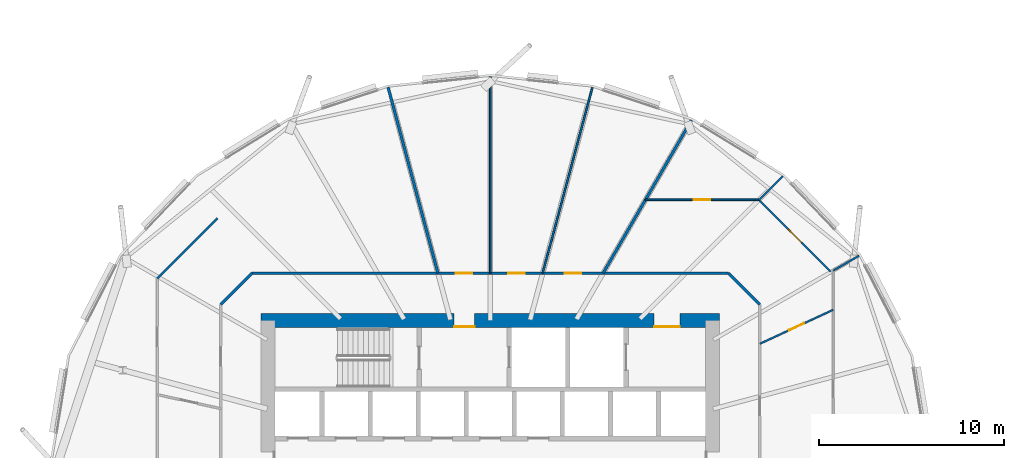
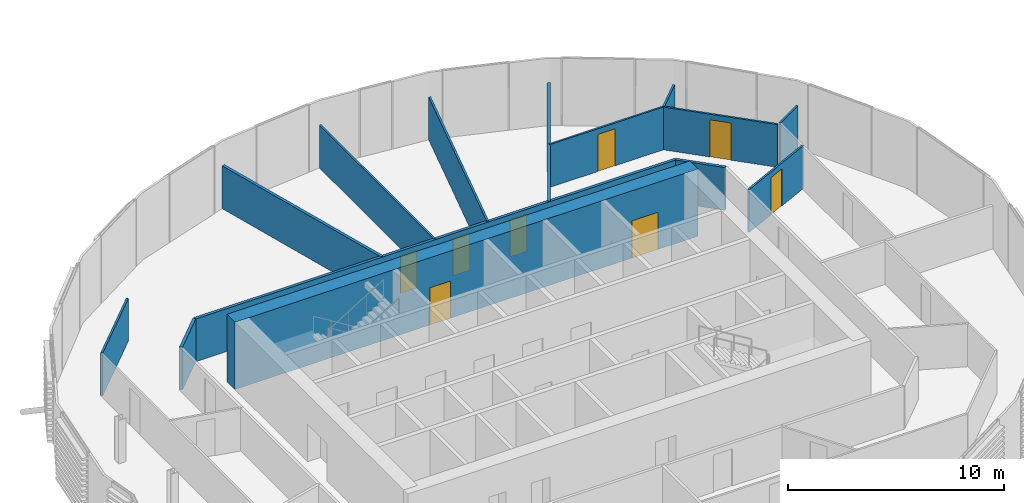
# One storey, part 24 of 42: 14 walls, 8 doors, 8 openings.
"""IFC4 building model written with IfcOpenShell, lengths in metres."""

from ifc_helpers import new_model, si_unit, direction, frame, frame_2d, origin, place, context, subcontext, project, spatial, rectangle, extrude, material, layer, layer_set, type_object, element, fill, save


model = new_model("IFC4")

# Units and contexts
model_context = context("Model", 3, precision=1e-05, world=origin(), true_north=direction((0.0, 1.0)))
body_context = subcontext(model_context, "Body", "Model", "MODEL_VIEW")
ifc_project = project(units=[si_unit("LENGTHUNIT", "METRE"), si_unit("AREAUNIT", "SQUARE_METRE"), si_unit("VOLUMEUNIT", "CUBIC_METRE"), si_unit("PLANEANGLEUNIT", "RADIAN"), si_unit("MASSUNIT", "GRAM", prefix="KILO")], contexts=[model_context])

# Site, building, storey
site_placement = place(None, origin())
site = spatial("IfcSite", under=ifc_project, at=site_placement, CompositionType="ELEMENT")
building_placement = place(site_placement, origin())
building = spatial("IfcBuilding", under=site, at=building_placement, Name="Rimbun Link Towers", CompositionType="ELEMENT")
storey_placement = place(building_placement, frame((0.0, 0.0, 85.39990234375)))
storey = spatial("IfcBuildingStorey", under=building, at=storey_placement, Name="L20", CompositionType="ELEMENT", Elevation=85.39990234375)

# Wall, openings, doors
ifc_material_1 = material(Name="Concrete C60/75", Category="concrete")
ifc_layer_1 = layer(ifc_material_1, 0.75)
ifc_layer_set_1 = layer_set([ifc_layer_1], Name="Core shear wall 750")
wall_type_1 = type_object("IfcWallType", Name="Core shear wall 750", PredefinedType="SHEAR", material=ifc_layer_set_1)
wall_1_placement = place(storey_placement, frame((-44.125, 8.0, 0.0), z_axis=(0.0, 0.0, 1.0), x_axis=(1.0, 0.0, 0.0)))
wall_1 = element("IfcWall", 1, at=wall_1_placement, inside=storey, type_object=wall_type_1, Name="L20 T1 core wall N", PredefinedType="SHEAR", context=body_context, shape_type="SweptSolid", body=[
    extrude(rectangle(XDim=24.75, YDim=0.75, at=frame_2d((12.375, 0.0))), origin(), (0.0, 0.0, 1.0), 3.800048828125),
])
opening_1_placement = place(wall_1_placement, frame((10.425048828125, 0.0, 0.0)))
opening_1 = element("IfcOpeningElement", 2, at=opening_1_placement, cuts=wall_1, Name="Opening C1DCF01N", PredefinedType="OPENING", context=body_context, shape_type="SweptSolid", body=[
    extrude(rectangle(XDim=1.10009765625, YDim=2.10009765625, at=frame_2d((0.550048828125, 1.050048828125))), frame((0.0, 0.385009765625, 0.0), z_axis=(0.0, -1.0, 0.0), x_axis=(1.0, 0.0, 0.0)), (0.0, 0.0, 1.0), 0.77001953125),
])
opening_2_placement = place(wall_1_placement, frame((21.21240234375, 0.0, 0.0)))
opening_2 = element("IfcOpeningElement", 3, at=opening_2_placement, cuts=wall_1, Name="Opening C1DSL02N", PredefinedType="OPENING", context=body_context, shape_type="SweptSolid", body=[
    extrude(rectangle(XDim=1.39990234375, YDim=2.10009765625, at=frame_2d((0.699951171875, 1.050048828125))), frame((0.0, 0.385009765625, 0.0), z_axis=(0.0, -1.0, 0.0), x_axis=(1.0, 0.0, 0.0)), (0.0, 0.0, 1.0), 0.77001953125),
])
ifc_material_2 = material(Name="Steel fire door set", Category="steel")
door_type_1 = type_object("IfcDoorType", Name="Core fire door single", OperationType="SINGLE_SWING_LEFT", PredefinedType="DOOR", material=ifc_material_2)
door_1_placement = place(opening_1_placement, origin())
door_1 = element("IfcDoor", 4, at=door_1_placement, inside=storey, type_object=door_type_1, Name="L20 T1 firefighting lobby n door", OperationType="SINGLE_SWING_LEFT", OverallHeight=2.10009765625, OverallWidth=1.10009765625, PredefinedType="DOOR", context=body_context, shape_type="SweptSolid", body=[
    extrude(rectangle(XDim=1.10009765625, YDim=2.10009765625, at=frame_2d((0.550048828125, 1.050048828125))), frame((0.0, -0.3251953125, 0.0), z_axis=(0.0, -1.0, 0.0), x_axis=(1.0, 0.0, 0.0)), (0.0, 0.0, 1.0), 0.050048828125),
])
fill(opening_1, door_1)
ifc_material_3 = material(Name="Steel fire door set", Category="steel")
door_type_2 = type_object("IfcDoorType", Name="Service lobby door double", OperationType="DOUBLE_DOOR_SINGLE_SWING", PredefinedType="DOOR", material=ifc_material_3)
door_2_placement = place(opening_2_placement, origin())
door_2 = element("IfcDoor", 5, at=door_2_placement, inside=storey, type_object=door_type_2, Name="L20 T1 service lobby door", OperationType="DOUBLE_DOOR_SINGLE_SWING", OverallHeight=2.10009765625, OverallWidth=1.39990234375, PredefinedType="DOOR", context=body_context, shape_type="SweptSolid", body=[
    extrude(rectangle(XDim=1.39990234375, YDim=2.10009765625, at=frame_2d((0.699951171875, 1.050048828125))), frame((0.0, -0.3251953125, 0.0), z_axis=(0.0, -1.0, 0.0), x_axis=(1.0, 0.0, 0.0)), (0.0, 0.0, 1.0), 0.050048828125),
])
fill(opening_2, door_2)

ifc_material_4 = material(Name="Plasterboard on steel stud, mineral wool", Category="steel")
ifc_layer_2 = layer(ifc_material_4, 0.14990234375)
ifc_layer_set_2 = layer_set([ifc_layer_2], Name="Corridor wall EI 30 150 mm")
wall_type_2 = type_object("IfcWallType", Name="Corridor wall EI 30 150 mm", PredefinedType="PARTITIONING", material=ifc_layer_set_2)
wall_2_placement = place(storey_placement, frame((-44.601806640625, 10.550048828125, 0.0), z_axis=(0.0, 0.0, 1.0), x_axis=(1.0, 0.0, 0.0)))
wall_2 = element("IfcWall", 6, at=wall_2_placement, inside=storey, type_object=wall_type_2, Name="Corridor wall EI 30 150 mm", PredefinedType="PARTITIONING", context=body_context, shape_type="SweptSolid", body=[
    extrude(rectangle(XDim=25.70361328125, YDim=0.14990234375, at=frame_2d((12.851806640625, 0.0))), origin(), (0.0, 0.0, 1.0), 2.420166015625),
])
opening_3_placement = place(wall_2_placement, frame((16.860595703125, 0.0, 0.0)))
opening_3 = element("IfcOpeningElement", 7, at=opening_3_placement, cuts=wall_2, Name="Opening D02", PredefinedType="OPENING", context=body_context, shape_type="SweptSolid", body=[
    extrude(rectangle(XDim=0.89990234375, YDim=2.10009765625, at=frame_2d((0.449951171875, 1.050048828125))), frame((0.0, 0.0849609375, 0.0), z_axis=(0.0, -1.0, 0.0), x_axis=(1.0, 0.0, 0.0)), (0.0, 0.0, 1.0), 0.169921875),
])
opening_4_placement = place(wall_2_placement, frame((13.815185546875, 0.0, 0.0)))
opening_4 = element("IfcOpeningElement", 8, at=opening_4_placement, cuts=wall_2, Name="Opening D02", PredefinedType="OPENING", context=body_context, shape_type="SweptSolid", body=[
    extrude(rectangle(XDim=0.89990234375, YDim=2.10009765625, at=frame_2d((0.449951171875, 1.050048828125))), frame((0.0, 0.0849609375, 0.0), z_axis=(0.0, -1.0, 0.0), x_axis=(1.0, 0.0, 0.0)), (0.0, 0.0, 1.0), 0.169921875),
])
opening_5_placement = place(wall_2_placement, frame((10.98828125, 0.0, 0.0)))
opening_5 = element("IfcOpeningElement", 9, at=opening_5_placement, cuts=wall_2, Name="Opening D02", PredefinedType="OPENING", context=body_context, shape_type="SweptSolid", body=[
    extrude(rectangle(XDim=0.89990234375, YDim=2.10009765625, at=frame_2d((0.449951171875, 1.050048828125))), frame((0.0, 0.0849609375, 0.0), z_axis=(0.0, -1.0, 0.0), x_axis=(1.0, 0.0, 0.0)), (0.0, 0.0, 1.0), 0.169921875),
])
ifc_material_5 = material(Name="Fire-resisting timber door leaf", Category="wood")
door_type_3 = type_object("IfcDoorType", Name="Fire door FD30S 900", OperationType="NOTDEFINED", PredefinedType="DOOR", material=ifc_material_5)
door_3_placement = place(opening_3_placement, origin())
door_3 = element("IfcDoor", 10, at=door_3_placement, inside=storey, type_object=door_type_3, Name="Fire door FD30S 900 to Cellular office", OperationType="SINGLE_SWING_LEFT", OverallHeight=2.10009765625, OverallWidth=0.89990234375, PredefinedType="DOOR", context=body_context, shape_type="SweptSolid", body=[
    extrude(rectangle(XDim=0.89990234375, YDim=2.10009765625, at=frame_2d((0.449951171875, 1.050048828125))), frame((0.0, 0.02490234375, 0.0), z_axis=(0.0, -1.0, 0.0), x_axis=(1.0, 0.0, 0.0)), (0.0, 0.0, 1.0), 0.050048828125),
])
fill(opening_3, door_3)
door_4_placement = place(opening_4_placement, origin())
door_4 = element("IfcDoor", 11, at=door_4_placement, inside=storey, type_object=door_type_3, Name="Fire door FD30S 900 to Meeting room", OperationType="SINGLE_SWING_RIGHT", OverallHeight=2.10009765625, OverallWidth=0.89990234375, PredefinedType="DOOR", context=body_context, shape_type="SweptSolid", body=[
    extrude(rectangle(XDim=0.89990234375, YDim=2.10009765625, at=frame_2d((0.449951171875, 1.050048828125))), frame((0.0, 0.02490234375, 0.0), z_axis=(0.0, -1.0, 0.0), x_axis=(1.0, 0.0, 0.0)), (0.0, 0.0, 1.0), 0.050048828125),
])
fill(opening_4, door_4)
door_5_placement = place(opening_5_placement, origin())
door_5 = element("IfcDoor", 12, at=door_5_placement, inside=storey, type_object=door_type_3, Name="Fire door FD30S 900 to Meeting room", OperationType="SINGLE_SWING_LEFT", OverallHeight=2.10009765625, OverallWidth=0.89990234375, PredefinedType="DOOR", context=body_context, shape_type="SweptSolid", body=[
    extrude(rectangle(XDim=0.89990234375, YDim=2.10009765625, at=frame_2d((0.449951171875, 1.050048828125))), frame((0.0, 0.02490234375, 0.0), z_axis=(0.0, -1.0, 0.0), x_axis=(1.0, 0.0, 0.0)), (0.0, 0.0, 1.0), 0.050048828125),
])
fill(opening_5, door_5)

# Walls
for number, where, z_axis, x_axis, name in (
    (13, (-17.199951171875, 8.851806640625, 0.0), (0.0, 0.0, 1.0), (-0.707106781187, 0.707106781187, 0.0), "Corridor wall EI 30 150 mm"),
    (14, (-44.601806640625, 10.550048828125, 0.0), (0.0, 0.0, 1.0), (-0.707106781187, -0.707106781187, 0.0), "Corridor wall EI 30 150 mm"),
):
    element("IfcWall", number, at=place(storey_placement, frame(where, z_axis=z_axis, x_axis=x_axis)), inside=storey, type_object=wall_type_2, Name=name, PredefinedType="PARTITIONING", context=body_context, shape_type="SweptSolid", body=[
        extrude(rectangle(XDim=2.401611328125, YDim=0.14990234375, at=frame_2d((1.20068359375, 0.0))), origin(), (0.0, 0.0, 1.0), 2.420166015625),
    ])

# Wall, opening, door
ifc_material_6 = material(Name="Plasterboard on steel stud", Category="steel")
ifc_layer_3 = layer(ifc_material_6, 0.10009765625)
ifc_layer_set_3 = layer_set([ifc_layer_3], Name="Plasterboard partition 100 mm")
wall_type_3 = type_object("IfcWallType", Name="Plasterboard partition 100 mm", PredefinedType="PARTITIONING", material=ifc_layer_set_3)
wall_3_placement = place(storey_placement, frame((-17.199951171875, 6.73779296875, 0.0), z_axis=(0.0, 0.0, 1.0), x_axis=(0.907408442515, 0.420249828617, 0.0)))
wall_3 = element("IfcWall", 15, at=wall_3_placement, inside=storey, type_object=wall_type_3, Name="Plasterboard partition 100 mm", PredefinedType="PARTITIONING", context=body_context, shape_type="SweptSolid", body=[
    extrude(rectangle(XDim=4.364013671875, YDim=0.10009765625, at=frame_2d((2.18212890625, 0.0))), origin(), (0.0, 0.0, 1.0), 2.420166015625),
])
opening_6_placement = place(wall_3_placement, frame((1.73193359375, 0.0, 0.0)))
opening_6 = element("IfcOpeningElement", 16, at=opening_6_placement, cuts=wall_3, Name="Opening D04", PredefinedType="OPENING", context=body_context, shape_type="SweptSolid", body=[
    extrude(rectangle(XDim=0.89990234375, YDim=2.10009765625, at=frame_2d((0.449951171875, 1.050048828125))), frame((0.0, 0.06005859375, 0.0), z_axis=(0.0, -1.0, 0.0), x_axis=(1.0, 0.0, 0.0)), (0.0, 0.0, 1.0), 0.1201171875),
])
ifc_material_7 = material(Name="Timber door leaf", Category="wood")
door_type_4 = type_object("IfcDoorType", Name="Flush door 900", OperationType="NOTDEFINED", PredefinedType="DOOR", material=ifc_material_7)
door_6_placement = place(opening_6_placement, origin())
door_6 = element("IfcDoor", 17, at=door_6_placement, inside=storey, type_object=door_type_4, Name="Flush door 900 to Meeting room", OperationType="SINGLE_SWING_RIGHT", OverallHeight=2.10009765625, OverallWidth=0.89990234375, PredefinedType="DOOR", context=body_context, shape_type="SweptSolid", body=[
    extrude(rectangle(XDim=0.89990234375, YDim=2.10009765625, at=frame_2d((0.449951171875, 1.050048828125))), frame((0.0, 0.02490234375, 0.0), z_axis=(0.0, -1.0, 0.0), x_axis=(1.0, 0.0, 0.0)), (0.0, 0.0, 1.0), 0.050048828125),
])
fill(opening_6, door_6)

wall_4_placement = place(storey_placement, frame((-17.2490234375, 14.5009765625, 0.0), z_axis=(0.0, 0.0, 1.0), x_axis=(0.707106781187, -0.707106781187, 0.0)))
wall_4 = element("IfcWall", 18, at=wall_4_placement, inside=storey, type_object=wall_type_3, Name="Plasterboard partition 100 mm", PredefinedType="PARTITIONING", context=body_context, shape_type="SweptSolid", body=[
    extrude(rectangle(XDim=5.47119140625, YDim=0.10009765625, at=frame_2d((2.735595703125, 0.0))), origin(), (0.0, 0.0, 1.0), 2.420166015625),
])
opening_7_placement = place(wall_4_placement, frame((2.235595703125, 0.0, 0.0)))
opening_7 = element("IfcOpeningElement", 19, at=opening_7_placement, cuts=wall_4, Name="Opening D03", PredefinedType="OPENING", context=body_context, shape_type="SweptSolid", body=[
    extrude(rectangle(XDim=1.0, YDim=2.10009765625, at=frame_2d((0.5, 1.050048828125))), frame((0.0, 0.06005859375, 0.0), z_axis=(0.0, -1.0, 0.0), x_axis=(1.0, 0.0, 0.0)), (0.0, 0.0, 1.0), 0.1201171875),
])
ifc_material_8 = material(Name="Timber door leaf", Category="wood")
door_type_5 = type_object("IfcDoorType", Name="Flush door 1000", OperationType="NOTDEFINED", PredefinedType="DOOR", material=ifc_material_8)
door_7_placement = place(opening_7_placement, origin())
door_7 = element("IfcDoor", 20, at=door_7_placement, inside=storey, type_object=door_type_5, Name="Flush door 1000 to Open office", OperationType="SINGLE_SWING_LEFT", OverallHeight=2.10009765625, OverallWidth=1.0, PredefinedType="DOOR", context=body_context, shape_type="SweptSolid", body=[
    extrude(rectangle(XDim=1.0, YDim=2.10009765625, at=frame_2d((0.5, 1.050048828125))), frame((0.0, 0.02490234375, 0.0), z_axis=(0.0, -1.0, 0.0), x_axis=(1.0, 0.0, 0.0)), (0.0, 0.0, 1.0), 0.050048828125),
])
fill(opening_7, door_7)

wall_5_placement = place(storey_placement, frame((-23.372802734375, 14.510009765625, 0.0), z_axis=(0.0, 0.0, 1.0), x_axis=(1.0, 0.0, 0.0)))
wall_5 = element("IfcWall", 21, at=wall_5_placement, inside=storey, type_object=wall_type_3, Name="Plasterboard partition 100 mm", PredefinedType="PARTITIONING", context=body_context, shape_type="SweptSolid", body=[
    extrude(rectangle(XDim=6.11474609375, YDim=0.10009765625, at=frame_2d((3.057373046875, 0.0))), origin(), (0.0, 0.0, 1.0), 2.420166015625),
])
opening_8_placement = place(wall_5_placement, frame((2.607421875, 0.0, 0.0)))
opening_8 = element("IfcOpeningElement", 22, at=opening_8_placement, cuts=wall_5, Name="Opening D04", PredefinedType="OPENING", context=body_context, shape_type="SweptSolid", body=[
    extrude(rectangle(XDim=0.89990234375, YDim=2.10009765625, at=frame_2d((0.449951171875, 1.050048828125))), frame((0.0, 0.06005859375, 0.0), z_axis=(0.0, -1.0, 0.0), x_axis=(1.0, 0.0, 0.0)), (0.0, 0.0, 1.0), 0.1201171875),
])
door_8_placement = place(opening_8_placement, origin())
door_8 = element("IfcDoor", 23, at=door_8_placement, inside=storey, type_object=door_type_4, Name="Flush door 900 to Boardroom", OperationType="SINGLE_SWING_RIGHT", OverallHeight=2.10009765625, OverallWidth=0.89990234375, PredefinedType="DOOR", context=body_context, shape_type="SweptSolid", body=[
    extrude(rectangle(XDim=0.89990234375, YDim=2.10009765625, at=frame_2d((0.449951171875, 1.050048828125))), frame((0.0, 0.02490234375, 0.0), z_axis=(0.0, -1.0, 0.0), x_axis=(1.0, 0.0, 0.0)), (0.0, 0.0, 1.0), 0.050048828125),
])
fill(opening_8, door_8)

# Walls
wall_6_placement = place(storey_placement, frame((-11.84326171875, 11.4931640625, 0.0), z_axis=(0.0, 0.0, 1.0), x_axis=(-0.866026773083, -0.499997628298, 0.0)))
element("IfcWall", 24, at=wall_6_placement, inside=storey, type_object=wall_type_3, Name="Plasterboard partition 100 mm", PredefinedType="PARTITIONING", context=body_context, shape_type="SweptSolid", body=[
    extrude(rectangle(XDim=1.61279296875, YDim=0.10009765625, at=frame_2d((0.806396484375, 0.0))), origin(), (0.0, 0.0, 1.0), 2.420166015625),
])
wall_7_placement = place(storey_placement, frame((-15.96142578125, 15.78857421875, 0.0), z_axis=(0.0, 0.0, 1.0), x_axis=(-0.707106781187, -0.707106781187, 0.0)))
element("IfcWall", 25, at=wall_7_placement, inside=storey, type_object=wall_type_3, Name="Plasterboard partition 100 mm", PredefinedType="PARTITIONING", context=body_context, shape_type="SweptSolid", body=[
    extrude(rectangle(XDim=1.821044921875, YDim=0.10009765625, at=frame_2d((0.91064453125, 0.0))), origin(), (0.0, 0.0, 1.0), 2.420166015625),
])
wall_8_placement = place(storey_placement, frame((-26.234130859375, 20.585205078125, 0.0), z_axis=(0.0, 0.0, 1.0), x_axis=(-0.258823789622, -0.965924554986, 0.0)))
element("IfcWall", 26, at=wall_8_placement, inside=storey, type_object=wall_type_3, Name="Plasterboard partition 100 mm", PredefinedType="PARTITIONING", context=body_context, shape_type="SweptSolid", body=[
    extrude(rectangle(XDim=10.38916015625, YDim=0.10009765625, at=frame_2d((5.194580078125, 0.0))), origin(), (0.0, 0.0, 1.0), 2.420166015625),
])
wall_9_placement = place(storey_placement, frame((-31.75, 21.166015625, 0.0), z_axis=(0.0, 0.0, 1.0), x_axis=(0.0, -1.0, 0.0)))
element("IfcWall", 27, at=wall_9_placement, inside=storey, type_object=wall_type_3, Name="Plasterboard partition 100 mm", PredefinedType="PARTITIONING", context=body_context, shape_type="SweptSolid", body=[
    extrude(rectangle(XDim=10.615966796875, YDim=0.10009765625, at=frame_2d((5.30810546875, 0.0))), origin(), (0.0, 0.0, 1.0), 2.420166015625),
])
wall_10_placement = place(storey_placement, frame((-46.477294921875, 13.510986328125, 0.0), z_axis=(0.0, 0.0, 1.0), x_axis=(-0.707106781187, -0.707106781187, 0.0)))
element("IfcWall", 28, at=wall_10_placement, inside=storey, type_object=wall_type_3, Name="Plasterboard partition 100 mm", PredefinedType="PARTITIONING", context=body_context, shape_type="SweptSolid", body=[
    extrude(rectangle(XDim=4.5859375, YDim=0.10009765625, at=frame_2d((2.29296875, 0.0))), origin(), (0.0, 0.0, 1.0), 2.420166015625),
])
ifc_material_9 = material(Name="Plasterboard on steel stud, mineral wool", Category="steel")
ifc_layer_4 = layer(ifc_material_9, 0.14990234375)
ifc_layer_set_4 = layer_set([ifc_layer_4], Name="Tenancy separation wall EI 60 150 mm")
wall_type_4 = type_object("IfcWallType", Name="Tenancy separation wall EI 60 150 mm", PredefinedType="PARTITIONING", material=ifc_layer_set_4)
wall_11_placement = place(storey_placement, frame((-25.658935546875, 10.550048828125, 0.0), z_axis=(0.0, 0.0, 1.0), x_axis=(0.499988974131, 0.86603176948, 0.0)))
element("IfcWall", 29, at=wall_11_placement, inside=storey, type_object=wall_type_4, Name="Tenancy separation wall EI 60 150 mm", PredefinedType="PARTITIONING", context=body_context, shape_type="SweptSolid", body=[
    extrude(rectangle(XDim=9.541748046875, YDim=0.14990234375, at=frame_2d((4.77099609375, 0.0))), origin(), (0.0, 0.0, 1.0), 2.420166015625),
])
wall_12_placement = place(storey_placement, frame((-34.576904296875, 10.550048828125, 0.0), z_axis=(0.0, 0.0, 1.0), x_axis=(-0.258823789622, 0.965924554986, 0.0)))
element("IfcWall", 30, at=wall_12_placement, inside=storey, type_object=wall_type_4, Name="Tenancy separation wall EI 60 150 mm", PredefinedType="PARTITIONING", context=body_context, shape_type="SweptSolid", body=[
    extrude(rectangle(XDim=10.38916015625, YDim=0.14990234375, at=frame_2d((5.194580078125, 0.0))), origin(), (0.0, 0.0, 1.0), 2.420166015625),
])

save(model, "model.ifc")
